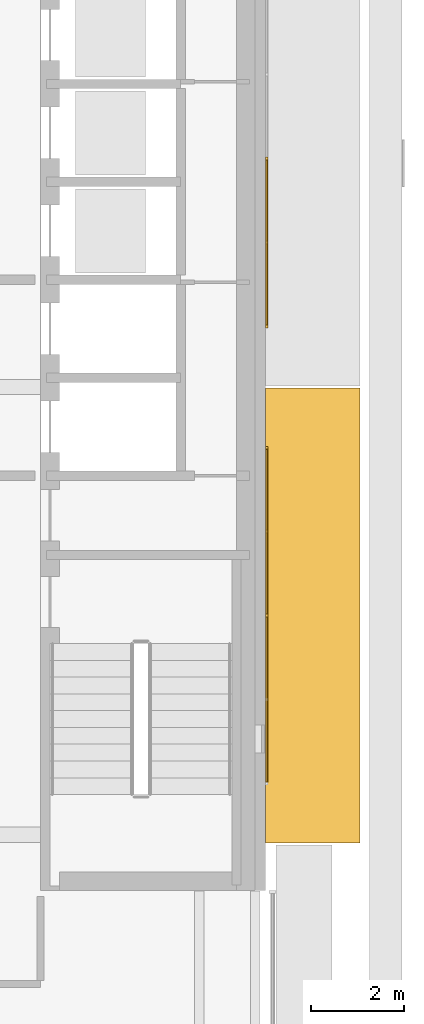
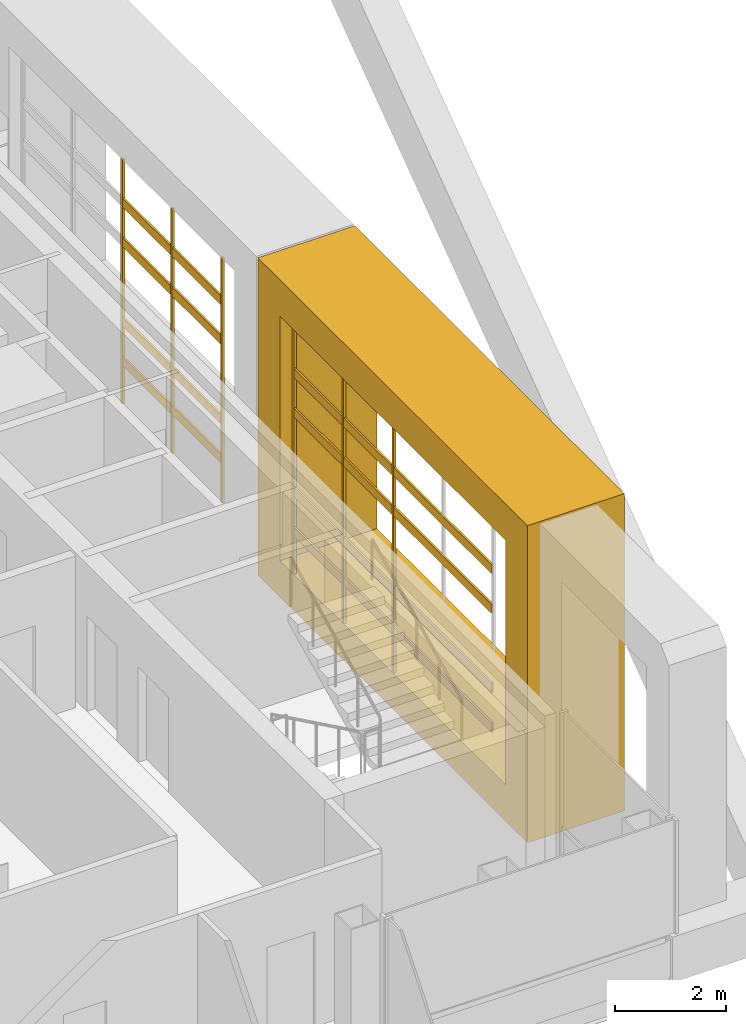
# One storey, part 20 of 23: 19 coverings.
"""IFC4 building model written with IfcOpenShell, lengths in metres."""

from ifc_helpers import new_model, si_unit, direction, frame, origin, origin_2d, place, context, subcontext, project, spatial, polyline, rectangle, outline, extrude, material, type_object, element, save


model = new_model("IFC4")

# Units and contexts
model_context = context("Model", 3, precision=1e-05, world=origin(), true_north=direction((0.0, 1.0)))
body_context = subcontext(model_context, "Body", "Model", "MODEL_VIEW")
ifc_project = project(units=[si_unit("LENGTHUNIT", "METRE"), si_unit("AREAUNIT", "SQUARE_METRE"), si_unit("VOLUMEUNIT", "CUBIC_METRE"), si_unit("PLANEANGLEUNIT", "RADIAN"), si_unit("MASSUNIT", "GRAM", prefix="KILO")], contexts=[model_context])

# Site, building, storey
site_placement = place(None, origin())
site = spatial("IfcSite", under=ifc_project, at=site_placement, CompositionType="ELEMENT")
building_placement = place(site_placement, origin())
building = spatial("IfcBuilding", under=site, at=building_placement, Name="Cobrizo Arcos Hotel Tower", CompositionType="ELEMENT")
storey_placement = place(building_placement, frame((0.0, 0.0, 255.0)))
storey = spatial("IfcBuildingStorey", under=building, at=storey_placement, Name="L67", CompositionType="ELEMENT", Elevation=255.0)

# Coverings
ifc_material_1 = material(Name="Aluminium 6063-T6 anodised bronze", Category="aluminium")
covering_type_1 = type_object("IfcCoveringType", Name="FIN-F 2025", PredefinedType="CLADDING", material=ifc_material_1)
covering_placement = place(storey_placement, frame((20.625, -9.77490234375, 0.0), z_axis=(1.0, 0.0, 0.0), x_axis=(0.0, 1.0, 0.0)))
element("IfcCovering", 1, at=covering_placement, inside=storey, type_object=covering_type_1, Name="Fin frame 388", PredefinedType="CLADDING", context=body_context, shape_type="SweptSolid", body=[
    extrude(outline(polyline([(0.0, 7.0), (0.0, 0.0), (9.75, 0.0), (9.75, 7.0), (0.0, 7.0)]), holes=[polyline([(8.949951171875, 0.800048828125), (0.800048828125, 0.800048828125), (0.800048828125, 6.199951171875), (8.949951171875, 6.199951171875), (8.949951171875, 0.800048828125)])]), origin(), (0.0, 0.0, 1.0), 2.02490234375),
])
ifc_material_2 = material(Name="Aluminium 6063-T6 anodised pale", Category="aluminium")
covering_type_2 = type_object("IfcCoveringType", Name="RS-2 rainscreen rib 60x50", PredefinedType="CLADDING", material=ifc_material_2)
for number, where, z_axis, x_axis, name in (
    (2, (20.64990234375, -4.89990234375, 0.800048828125), (0.0, 0.0, 1.0), (0.0, 1.0, 0.0), "Rainscreen rib 263"),
    (3, (20.64990234375, -3.10009765625, 0.800048828125), (0.0, 0.0, 1.0), (0.0, 1.0, 0.0), "Rainscreen rib 264"),
    (4, (20.64990234375, -1.300048828125, 0.800048828125), (0.0, 0.0, 1.0), (0.0, 1.0, 0.0), "Rainscreen rib 265"),
    (5, (20.64990234375, 1.300048828125, 0.800048828125), (0.0, 0.0, 1.0), (0.0, 1.0, 0.0), "Rainscreen rib 266"),
    (6, (20.64990234375, 3.10009765625, 0.800048828125), (0.0, 0.0, 1.0), (0.0, 1.0, 0.0), "Rainscreen rib 267"),
    (7, (20.64990234375, 4.89990234375, 0.800048828125), (0.0, 0.0, 1.0), (0.0, 1.0, 0.0), "Rainscreen rib 268"),
):
    element("IfcCovering", number, at=place(storey_placement, frame(where, z_axis=z_axis, x_axis=x_axis)), inside=storey, type_object=covering_type_2, Name=name, PredefinedType="CLADDING", context=body_context, shape_type="SweptSolid", body=[
        extrude(rectangle(XDim=0.06005859375, YDim=0.050048828125, at=origin_2d()), origin(), (0.0, 0.0, 1.0), 5.39990234375),
    ])
covering_type_3 = type_object("IfcCoveringType", Name="RS-3 rainscreen louvre slat 200x40", PredefinedType="CLADDING", material=ifc_material_2)
for number, where, z_axis, x_axis, name in (
    (8, (20.64501953125, -6.699951171875, 1.64990234375), (0.0, 0.0, 1.0), (0.0, 1.0, 0.0), "Rainscreen slat 85"),
    (9, (20.64501953125, -6.699951171875, 2.52490234375), (0.0, 0.0, 1.0), (0.0, 1.0, 0.0), "Rainscreen slat 86"),
    (10, (20.64501953125, -3.10009765625, 1.64990234375), (0.0, 0.0, 1.0), (0.0, 1.0, 0.0), "Rainscreen slat 87"),
    (11, (20.64501953125, -3.10009765625, 2.52490234375), (0.0, 0.0, 1.0), (0.0, 1.0, 0.0), "Rainscreen slat 88"),
    (12, (20.64501953125, -6.699951171875, 4.27490234375), (0.0, 0.0, 1.0), (0.0, 1.0, 0.0), "Rainscreen slat 89"),
    (13, (20.64501953125, -6.699951171875, 5.14990234375), (0.0, 0.0, 1.0), (0.0, 1.0, 0.0), "Rainscreen slat 90"),
    (14, (20.64501953125, -3.10009765625, 4.27490234375), (0.0, 0.0, 1.0), (0.0, 1.0, 0.0), "Rainscreen slat 91"),
    (15, (20.64501953125, -3.10009765625, 5.14990234375), (0.0, 0.0, 1.0), (0.0, 1.0, 0.0), "Rainscreen slat 92"),
    (16, (20.64501953125, 3.10009765625, 1.64990234375), (0.0, 0.0, 1.0), (0.0, 1.0, 0.0), "Rainscreen slat 93"),
    (17, (20.64501953125, 3.10009765625, 2.52490234375), (0.0, 0.0, 1.0), (0.0, 1.0, 0.0), "Rainscreen slat 94"),
    (18, (20.64501953125, 3.10009765625, 4.27490234375), (0.0, 0.0, 1.0), (0.0, 1.0, 0.0), "Rainscreen slat 97"),
    (19, (20.64501953125, 3.10009765625, 5.14990234375), (0.0, 0.0, 1.0), (0.0, 1.0, 0.0), "Rainscreen slat 98"),
):
    element("IfcCovering", number, at=place(storey_placement, frame(where, z_axis=z_axis, x_axis=x_axis)), inside=storey, type_object=covering_type_3, Name=name, PredefinedType="CLADDING", context=body_context, shape_type="SweptSolid", body=[
        extrude(rectangle(XDim=3.5400390625, YDim=0.0400390625, at=origin_2d()), origin(), (0.0, 0.0, 1.0), 0.199951171875),
    ])

save(model, "model.ifc")
